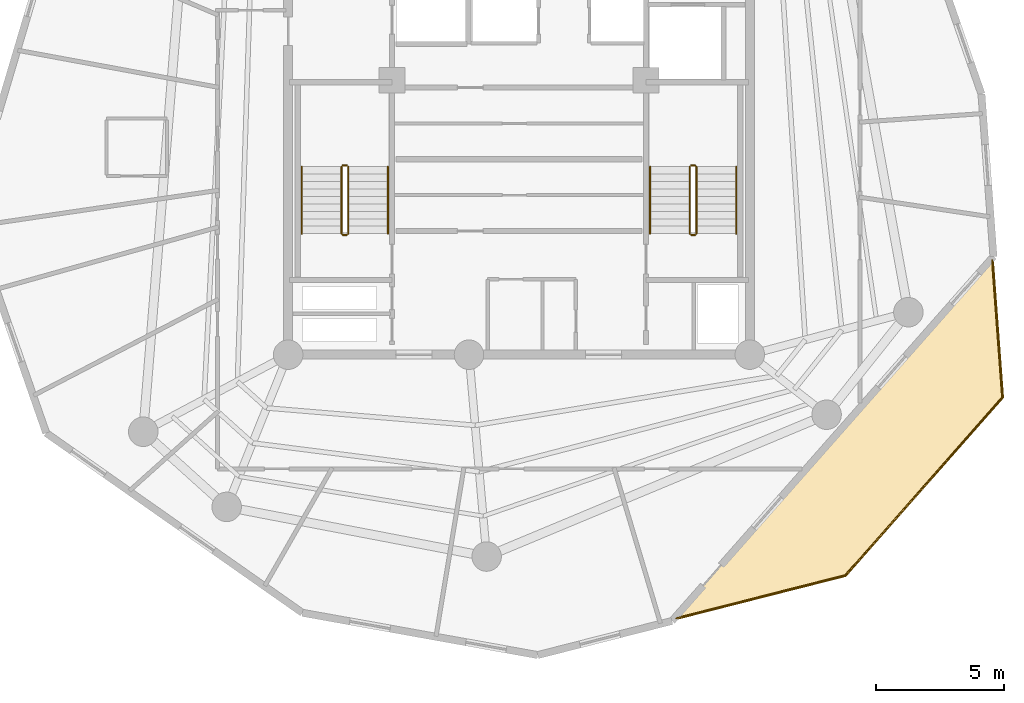
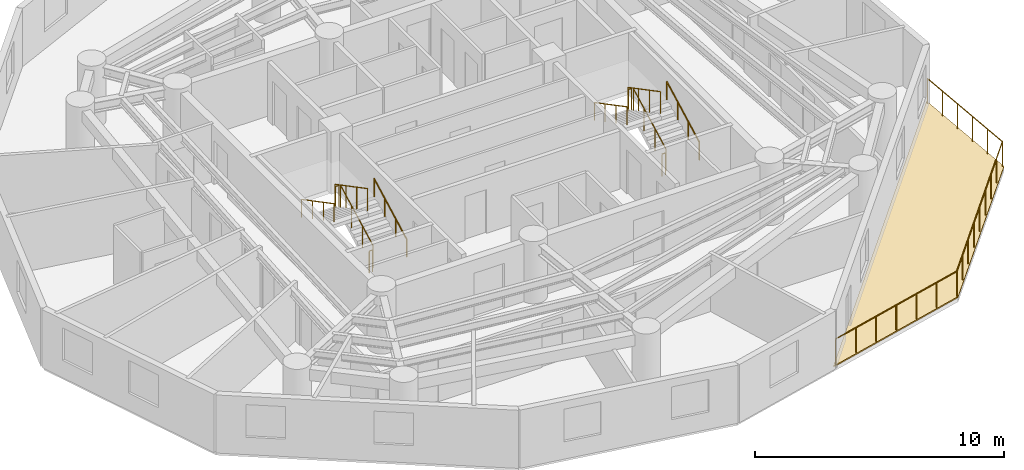
# One storey, part 7 of 7: 15 railings, 1 covering.
"""IFC4 building model written with IfcOpenShell, lengths in metres."""

from ifc_helpers import new_model, si_unit, direction, frame, origin, origin_2d, place, context, subcontext, project, spatial, polyline, circle, outline, extrude, material, layer, layer_set, type_object, element, save


model = new_model("IFC4")

# Units and contexts
model_context = context("Model", 3, precision=1e-05, world=origin(), true_north=direction((0.0, 1.0)))
body_context = subcontext(model_context, "Body", "Model", "MODEL_VIEW")
ifc_project = project(units=[si_unit("LENGTHUNIT", "METRE"), si_unit("AREAUNIT", "SQUARE_METRE"), si_unit("VOLUMEUNIT", "CUBIC_METRE"), si_unit("PLANEANGLEUNIT", "RADIAN"), si_unit("MASSUNIT", "GRAM", prefix="KILO")], contexts=[model_context])

# Site, building, storey
site_placement = place(None, origin())
site = spatial("IfcSite", under=ifc_project, at=site_placement, CompositionType="ELEMENT")
building_placement = place(site_placement, origin())
building = spatial("IfcBuilding", under=site, at=building_placement, Name="Karkom Vertical University and Central Library", CompositionType="ELEMENT")
storey_placement = place(building_placement, frame((0.0, 0.0, 235.199951171875)))
storey = spatial("IfcBuildingStorey", under=building, at=storey_placement, Name="L69", CompositionType="ELEMENT", Elevation=235.199951171875)

# Covering
ifc_material_1 = material(Name="EPDM membrane with Kota stone ballast roofing", Category="masonry")
ifc_layer_1 = layer(ifc_material_1, 0.080078125)
ifc_layer_set_1 = layer_set([ifc_layer_1], Name="EPDM membrane with Kota stone ballast roofing")
covering_type = type_object("IfcCoveringType", Name="ENV-COV-ROOF", PredefinedType="ROOFING", material=ifc_layer_set_1)
covering_placement = place(storey_placement, origin())
element("IfcCovering", 1, at=covering_placement, inside=storey, type_object=covering_type, Name="Level 69 Spiral Sky Garden Waterproofing Covering", PredefinedType="ROOFING", context=body_context, shape_type="SweptSolid", body=[
    extrude(outline(polyline([(34.466796875, 7.915771484375), (41.256591796875, 9.6416015625), (47.4111328125, 16.618896484375), (47.003662109375, 22.128173828125), (34.466796875, 7.915771484375)])), origin(), (0.0, 0.0, 1.0), 0.06005859375),
])

# Railings
ifc_material_2 = material(Name="Architectural painted steel & laminated glass balustrade", Category="steel")
ifc_layer_2 = layer(ifc_material_2, 0.090087890625)
ifc_layer_set_2 = layer_set([ifc_layer_2], Name="Architectural painted steel & laminated glass balustrade")
railing_type_1 = type_object("IfcRailingType", Name="ENV-RL-BAL1300", PredefinedType="BALUSTRADE", material=ifc_layer_set_2)
railing_1_placement = place(storey_placement, frame((46.954345703125, 21.981689453125, 0.0)))
element("IfcRailing", 2, at=railing_1_placement, inside=storey, type_object=railing_type_1, Name="Level 69 Planted Terrace Safety Balustrade 01", PredefinedType="BALUSTRADE", context=body_context, shape_type="SweptSolid", body=[
    extrude(circle(Radius=0.02392578125, at=origin_2d()), frame((0.0, 0.0, 1.27587890625), z_axis=(0.073747445363, -0.99727694965, 0.0), x_axis=(0.99727694965, 0.073747445363, 0.0)), (0.0, 0.0, 1.0), 5.3564453125),
    extrude(circle(Radius=0.02099609375, at=origin_2d()), origin(), (0.0, 0.0, 1.0), 1.251953125),
    extrude(circle(Radius=0.02099609375, at=origin_2d()), frame((0.0791015625, -1.068359375, 0.0)), (0.0, 0.0, 1.0), 1.251953125),
    extrude(circle(Radius=0.02099609375, at=origin_2d()), frame((0.157958984375, -2.13671875, 0.0)), (0.0, 0.0, 1.0), 1.251953125),
    extrude(circle(Radius=0.02099609375, at=origin_2d()), frame((0.237060546875, -3.205078125, 0.0)), (0.0, 0.0, 1.0), 1.251953125),
    extrude(circle(Radius=0.02099609375, at=origin_2d()), frame((0.31591796875, -4.2734375, 0.0)), (0.0, 0.0, 1.0), 1.251953125),
    extrude(circle(Radius=0.02099609375, at=origin_2d()), frame((0.39501953125, -5.341796875, 0.0)), (0.0, 0.0, 1.0), 1.251953125),
])
railing_2_placement = place(storey_placement, frame((47.349365234375, 16.639892578125, 0.0)))
element("IfcRailing", 3, at=railing_2_placement, inside=storey, type_object=railing_type_1, Name="Level 69 Planted Terrace Safety Balustrade 02", PredefinedType="BALUSTRADE", context=body_context, shape_type="SweptSolid", body=[
    extrude(circle(Radius=0.02392578125, at=origin_2d()), frame((0.0, 0.0, 1.27587890625), z_axis=(-0.661495189036, -0.749949408215, 0.0), x_axis=(0.749949408215, -0.661495189036, 0.0)), (0.0, 0.0, 1.0), 9.260009765625),
    extrude(circle(Radius=0.02099609375, at=origin_2d()), origin(), (0.0, 0.0, 1.0), 1.251953125),
    extrude(circle(Radius=0.02099609375, at=origin_2d()), frame((-0.765625, -0.8681640625, 0.0)), (0.0, 0.0, 1.0), 1.251953125),
    extrude(circle(Radius=0.02099609375, at=origin_2d()), frame((-1.53125, -1.736083984375, 0.0)), (0.0, 0.0, 1.0), 1.251953125),
    extrude(circle(Radius=0.02099609375, at=origin_2d()), frame((-2.297119140625, -2.604248046875, 0.0)), (0.0, 0.0, 1.0), 1.251953125),
    extrude(circle(Radius=0.02099609375, at=origin_2d()), frame((-3.062744140625, -3.47216796875, 0.0)), (0.0, 0.0, 1.0), 1.251953125),
    extrude(circle(Radius=0.02099609375, at=origin_2d()), frame((-3.828369140625, -4.34033203125, 0.0)), (0.0, 0.0, 1.0), 1.251953125),
    extrude(circle(Radius=0.02099609375, at=origin_2d()), frame((-4.59423828125, -5.20849609375, 0.0)), (0.0, 0.0, 1.0), 1.251953125),
    extrude(circle(Radius=0.02099609375, at=origin_2d()), frame((-5.35986328125, -6.076416015625, 0.0)), (0.0, 0.0, 1.0), 1.251953125),
    extrude(circle(Radius=0.02099609375, at=origin_2d()), frame((-6.12548828125, -6.944580078125, 0.0)), (0.0, 0.0, 1.0), 1.251953125),
])
railing_3_placement = place(storey_placement, frame((41.223876953125, 9.6953125, 0.0)))
element("IfcRailing", 4, at=railing_3_placement, inside=storey, type_object=railing_type_1, Name="Level 69 Planted Terrace Safety Balustrade 03", PredefinedType="BALUSTRADE", context=body_context, shape_type="SweptSolid", body=[
    extrude(circle(Radius=0.02392578125, at=origin_2d()), frame((0.0, 0.0, 1.27587890625), z_axis=(-0.969175076873, -0.246373030927, 0.0), x_axis=(0.246373030927, -0.969175076873, 0.0)), (0.0, 0.0, 1.0), 6.79296875),
    extrude(circle(Radius=0.02099609375, at=origin_2d()), origin(), (0.0, 0.0, 1.0), 1.251953125),
    extrude(circle(Radius=0.02099609375, at=origin_2d()), frame((-1.09716796875, -0.27880859375, 0.0)), (0.0, 0.0, 1.0), 1.251953125),
    extrude(circle(Radius=0.02099609375, at=origin_2d()), frame((-2.194580078125, -0.557861328125, 0.0)), (0.0, 0.0, 1.0), 1.251953125),
    extrude(circle(Radius=0.02099609375, at=origin_2d()), frame((-3.291748046875, -0.8369140625, 0.0)), (0.0, 0.0, 1.0), 1.251953125),
    extrude(circle(Radius=0.02099609375, at=origin_2d()), frame((-4.388916015625, -1.11572265625, 0.0)), (0.0, 0.0, 1.0), 1.251953125),
    extrude(circle(Radius=0.02099609375, at=origin_2d()), frame((-5.486328125, -1.39453125, 0.0)), (0.0, 0.0, 1.0), 1.251953125),
    extrude(circle(Radius=0.02099609375, at=origin_2d()), frame((-6.58349609375, -1.673583984375, 0.0)), (0.0, 0.0, 1.0), 1.251953125),
])
ifc_material_3 = material(Name="Painted galvanised steel balustrade", Category="steel")
ifc_layer_3 = layer(ifc_material_3, 0.06005859375)
ifc_layer_set_3 = layer_set([ifc_layer_3], Name="Painted galvanised steel balustrade")
railing_type_2 = type_object("IfcRailingType", Name="INT-RL-GUARD1100", PredefinedType="GUARDRAIL", material=ifc_layer_set_3)
railing_4_placement = place(storey_placement, frame((21.840087890625, 23.02001953125, 0.152587890625)))
element("IfcRailing", 5, at=railing_4_placement, inside=storey, type_object=railing_type_2, Name="Level 69 ST-1 stair guard 1", PredefinedType="GUARDRAIL", context=body_context, shape_type="SweptSolid", body=[
    extrude(circle(Radius=0.02392578125, at=origin_2d()), frame((0.0, 0.0, 1.076171875), z_axis=(0.0, 0.885065446896, 0.46546659892), x_axis=(-1.0, 0.0, 0.0)), (0.0, 0.0, 1.0), 2.94873046875),
    extrude(circle(Radius=0.02099609375, at=origin_2d()), origin(), (0.0, 0.0, 1.0), 1.052001953125),
    extrude(circle(Radius=0.02099609375, at=origin_2d()), frame((0.0, 0.869873046875, 0.45751953125)), (0.0, 0.0, 1.0), 1.052001953125),
    extrude(circle(Radius=0.02099609375, at=origin_2d()), frame((0.0, 1.739990234375, 0.9150390625)), (0.0, 0.0, 1.0), 1.052001953125),
    extrude(circle(Radius=0.02099609375, at=origin_2d()), frame((0.0, 2.60986328125, 1.37255859375)), (0.0, 0.0, 1.0), 1.052001953125),
])
railing_5_placement = place(storey_placement, frame((21.7900390625, 25.679931640625, 1.525146484375)))
element("IfcRailing", 6, at=railing_5_placement, inside=storey, type_object=railing_type_2, Name="Level 69 ST-1 stair guard 2", PredefinedType="GUARDRAIL", context=body_context, shape_type="SweptSolid", body=[
    extrude(circle(Radius=0.02392578125, at=origin_2d()), frame((0.0, 0.0, 1.076171875), z_axis=(-1.0, 0.0, 0.0), x_axis=(0.0, -1.0, 0.0)), (0.0, 0.0, 1.0), 0.16015625),
    extrude(circle(Radius=0.02099609375, at=origin_2d()), origin(), (0.0, 0.0, 1.0), 1.052001953125),
    extrude(circle(Radius=0.02099609375, at=origin_2d()), frame((-0.16015625, 0.0, 0.0)), (0.0, 0.0, 1.0), 1.052001953125),
])
railing_6_placement = place(storey_placement, frame((21.580078125, 25.6298828125, 1.677490234375)))
element("IfcRailing", 7, at=railing_6_placement, inside=storey, type_object=railing_type_2, Name="Level 69 ST-1 stair guard 3", PredefinedType="GUARDRAIL", context=body_context, shape_type="SweptSolid", body=[
    extrude(circle(Radius=0.02392578125, at=origin_2d()), frame((0.0, 0.0, 1.076171875), z_axis=(0.0, -0.885065446896, 0.46546659892), x_axis=(1.0, 0.0, 0.0)), (0.0, 0.0, 1.0), 2.94873046875),
    extrude(circle(Radius=0.02099609375, at=origin_2d()), origin(), (0.0, 0.0, 1.0), 1.052001953125),
    extrude(circle(Radius=0.02099609375, at=origin_2d()), frame((0.0, -0.869873046875, 0.45751953125)), (0.0, 0.0, 1.0), 1.052001953125),
    extrude(circle(Radius=0.02099609375, at=origin_2d()), frame((0.0, -1.739990234375, 0.9150390625)), (0.0, 0.0, 1.0), 1.052001953125),
    extrude(circle(Radius=0.02099609375, at=origin_2d()), frame((0.0, -2.60986328125, 1.37255859375)), (0.0, 0.0, 1.0), 1.052001953125),
])
railing_7_placement = place(storey_placement, frame((21.7900390625, 22.969970703125, 0.0)))
element("IfcRailing", 8, at=railing_7_placement, inside=storey, type_object=railing_type_2, Name="Level 69 ST-1 stair guard 4", PredefinedType="GUARDRAIL", context=body_context, shape_type="SweptSolid", body=[
    extrude(circle(Radius=0.02392578125, at=origin_2d()), frame((0.0, 0.0, 1.076171875), z_axis=(-1.0, 0.0, 0.0), x_axis=(0.0, -1.0, 0.0)), (0.0, 0.0, 1.0), 0.16015625),
    extrude(circle(Radius=0.02099609375, at=origin_2d()), origin(), (0.0, 0.0, 1.0), 1.052001953125),
    extrude(circle(Radius=0.02099609375, at=origin_2d()), frame((-0.16015625, 0.0, 0.0)), (0.0, 0.0, 1.0), 1.052001953125),
])
railing_8_placement = place(storey_placement, frame((35.419921875, 23.02001953125, 0.152587890625)))
element("IfcRailing", 9, at=railing_8_placement, inside=storey, type_object=railing_type_2, Name="Level 69 ST-2 stair guard 1", PredefinedType="GUARDRAIL", context=body_context, shape_type="SweptSolid", body=[
    extrude(circle(Radius=0.02392578125, at=origin_2d()), frame((0.0, 0.0, 1.076171875), z_axis=(0.0, 0.885065446896, 0.46546659892), x_axis=(-1.0, 0.0, 0.0)), (0.0, 0.0, 1.0), 2.94873046875),
    extrude(circle(Radius=0.02099609375, at=origin_2d()), origin(), (0.0, 0.0, 1.0), 1.052001953125),
    extrude(circle(Radius=0.02099609375, at=origin_2d()), frame((0.0, 0.869873046875, 0.45751953125)), (0.0, 0.0, 1.0), 1.052001953125),
    extrude(circle(Radius=0.02099609375, at=origin_2d()), frame((0.0, 1.739990234375, 0.9150390625)), (0.0, 0.0, 1.0), 1.052001953125),
    extrude(circle(Radius=0.02099609375, at=origin_2d()), frame((0.0, 2.60986328125, 1.37255859375)), (0.0, 0.0, 1.0), 1.052001953125),
])
railing_9_placement = place(storey_placement, frame((35.3701171875, 25.679931640625, 1.525146484375)))
element("IfcRailing", 10, at=railing_9_placement, inside=storey, type_object=railing_type_2, Name="Level 69 ST-2 stair guard 2", PredefinedType="GUARDRAIL", context=body_context, shape_type="SweptSolid", body=[
    extrude(circle(Radius=0.02392578125, at=origin_2d()), frame((0.0, 0.0, 1.076171875), z_axis=(-1.0, 0.0, 0.0), x_axis=(0.0, -1.0, 0.0)), (0.0, 0.0, 1.0), 0.16015625),
    extrude(circle(Radius=0.02099609375, at=origin_2d()), origin(), (0.0, 0.0, 1.0), 1.052001953125),
    extrude(circle(Radius=0.02099609375, at=origin_2d()), frame((-0.16015625, 0.0, 0.0)), (0.0, 0.0, 1.0), 1.052001953125),
])
railing_10_placement = place(storey_placement, frame((35.159912109375, 25.6298828125, 1.677490234375)))
element("IfcRailing", 11, at=railing_10_placement, inside=storey, type_object=railing_type_2, Name="Level 69 ST-2 stair guard 3", PredefinedType="GUARDRAIL", context=body_context, shape_type="SweptSolid", body=[
    extrude(circle(Radius=0.02392578125, at=origin_2d()), frame((0.0, 0.0, 1.076171875), z_axis=(0.0, -0.885065446896, 0.46546659892), x_axis=(1.0, 0.0, 0.0)), (0.0, 0.0, 1.0), 2.94873046875),
    extrude(circle(Radius=0.02099609375, at=origin_2d()), origin(), (0.0, 0.0, 1.0), 1.052001953125),
    extrude(circle(Radius=0.02099609375, at=origin_2d()), frame((0.0, -0.869873046875, 0.45751953125)), (0.0, 0.0, 1.0), 1.052001953125),
    extrude(circle(Radius=0.02099609375, at=origin_2d()), frame((0.0, -1.739990234375, 0.9150390625)), (0.0, 0.0, 1.0), 1.052001953125),
    extrude(circle(Radius=0.02099609375, at=origin_2d()), frame((0.0, -2.60986328125, 1.37255859375)), (0.0, 0.0, 1.0), 1.052001953125),
])
railing_11_placement = place(storey_placement, frame((35.3701171875, 22.969970703125, 0.0)))
element("IfcRailing", 12, at=railing_11_placement, inside=storey, type_object=railing_type_2, Name="Level 69 ST-2 stair guard 4", PredefinedType="GUARDRAIL", context=body_context, shape_type="SweptSolid", body=[
    extrude(circle(Radius=0.02392578125, at=origin_2d()), frame((0.0, 0.0, 1.076171875), z_axis=(-1.0, 0.0, 0.0), x_axis=(0.0, -1.0, 0.0)), (0.0, 0.0, 1.0), 0.16015625),
    extrude(circle(Radius=0.02099609375, at=origin_2d()), origin(), (0.0, 0.0, 1.0), 1.052001953125),
    extrude(circle(Radius=0.02099609375, at=origin_2d()), frame((-0.16015625, 0.0, 0.0)), (0.0, 0.0, 1.0), 1.052001953125),
])
ifc_material_4 = material(Name="Brushed stainless-steel tubular handrail", Category="steel")
ifc_layer_4 = layer(ifc_material_4, 0.048095703125)
ifc_layer_set_4 = layer_set([ifc_layer_4], Name="Brushed stainless-steel tubular handrail")
railing_type_3 = type_object("IfcRailingType", Name="INT-RL-HAND920", PredefinedType="HANDRAIL", material=ifc_layer_set_4)
railing_12_placement = place(storey_placement, frame((23.389892578125, 23.02001953125, 0.152587890625)))
element("IfcRailing", 13, at=railing_12_placement, inside=storey, type_object=railing_type_3, Name="Level 69 ST-1 stair handrail 1", PredefinedType="HANDRAIL", context=body_context, shape_type="SweptSolid", body=[
    extrude(circle(Radius=0.02392578125, at=origin_2d()), frame((0.0, 0.0, 0.8759765625), z_axis=(0.0, 0.885065446896, 0.46546659892), x_axis=(-1.0, 0.0, 0.0)), (0.0, 0.0, 1.0), 2.94873046875),
    extrude(circle(Radius=0.02099609375, at=origin_2d()), origin(), (0.0, 0.0, 1.0), 0.851806640625),
    extrude(circle(Radius=0.02099609375, at=origin_2d()), frame((0.0, 0.869873046875, 0.45751953125)), (0.0, 0.0, 1.0), 0.851806640625),
    extrude(circle(Radius=0.02099609375, at=origin_2d()), frame((0.0, 1.739990234375, 0.9150390625)), (0.0, 0.0, 1.0), 0.851806640625),
    extrude(circle(Radius=0.02099609375, at=origin_2d()), frame((0.0, 2.60986328125, 1.37255859375)), (0.0, 0.0, 1.0), 0.851806640625),
])
railing_13_placement = place(storey_placement, frame((20.030029296875, 25.6298828125, 1.677490234375)))
element("IfcRailing", 14, at=railing_13_placement, inside=storey, type_object=railing_type_3, Name="Level 69 ST-1 stair handrail 2", PredefinedType="HANDRAIL", context=body_context, shape_type="SweptSolid", body=[
    extrude(circle(Radius=0.02392578125, at=origin_2d()), frame((0.0, 0.0, 0.8759765625), z_axis=(0.0, -0.885065446896, 0.46546659892), x_axis=(1.0, 0.0, 0.0)), (0.0, 0.0, 1.0), 2.94873046875),
    extrude(circle(Radius=0.02099609375, at=origin_2d()), origin(), (0.0, 0.0, 1.0), 0.851806640625),
    extrude(circle(Radius=0.02099609375, at=origin_2d()), frame((0.0, -0.869873046875, 0.45751953125)), (0.0, 0.0, 1.0), 0.851806640625),
    extrude(circle(Radius=0.02099609375, at=origin_2d()), frame((0.0, -1.739990234375, 0.9150390625)), (0.0, 0.0, 1.0), 0.851806640625),
    extrude(circle(Radius=0.02099609375, at=origin_2d()), frame((0.0, -2.60986328125, 1.37255859375)), (0.0, 0.0, 1.0), 0.851806640625),
])
railing_14_placement = place(storey_placement, frame((36.969970703125, 23.02001953125, 0.152587890625)))
element("IfcRailing", 15, at=railing_14_placement, inside=storey, type_object=railing_type_3, Name="Level 69 ST-2 stair handrail 1", PredefinedType="HANDRAIL", context=body_context, shape_type="SweptSolid", body=[
    extrude(circle(Radius=0.02392578125, at=origin_2d()), frame((0.0, 0.0, 0.8759765625), z_axis=(0.0, 0.885065446896, 0.46546659892), x_axis=(-1.0, 0.0, 0.0)), (0.0, 0.0, 1.0), 2.94873046875),
    extrude(circle(Radius=0.02099609375, at=origin_2d()), origin(), (0.0, 0.0, 1.0), 0.851806640625),
    extrude(circle(Radius=0.02099609375, at=origin_2d()), frame((0.0, 0.869873046875, 0.45751953125)), (0.0, 0.0, 1.0), 0.851806640625),
    extrude(circle(Radius=0.02099609375, at=origin_2d()), frame((0.0, 1.739990234375, 0.9150390625)), (0.0, 0.0, 1.0), 0.851806640625),
    extrude(circle(Radius=0.02099609375, at=origin_2d()), frame((0.0, 2.60986328125, 1.37255859375)), (0.0, 0.0, 1.0), 0.851806640625),
])
railing_15_placement = place(storey_placement, frame((33.610107421875, 25.6298828125, 1.677490234375)))
element("IfcRailing", 16, at=railing_15_placement, inside=storey, type_object=railing_type_3, Name="Level 69 ST-2 stair handrail 2", PredefinedType="HANDRAIL", context=body_context, shape_type="SweptSolid", body=[
    extrude(circle(Radius=0.02392578125, at=origin_2d()), frame((0.0, 0.0, 0.8759765625), z_axis=(0.0, -0.885065446896, 0.46546659892), x_axis=(1.0, 0.0, 0.0)), (0.0, 0.0, 1.0), 2.94873046875),
    extrude(circle(Radius=0.02099609375, at=origin_2d()), origin(), (0.0, 0.0, 1.0), 0.851806640625),
    extrude(circle(Radius=0.02099609375, at=origin_2d()), frame((0.0, -0.869873046875, 0.45751953125)), (0.0, 0.0, 1.0), 0.851806640625),
    extrude(circle(Radius=0.02099609375, at=origin_2d()), frame((0.0, -1.739990234375, 0.9150390625)), (0.0, 0.0, 1.0), 0.851806640625),
    extrude(circle(Radius=0.02099609375, at=origin_2d()), frame((0.0, -2.60986328125, 1.37255859375)), (0.0, 0.0, 1.0), 0.851806640625),
])

save(model, "model.ifc")
